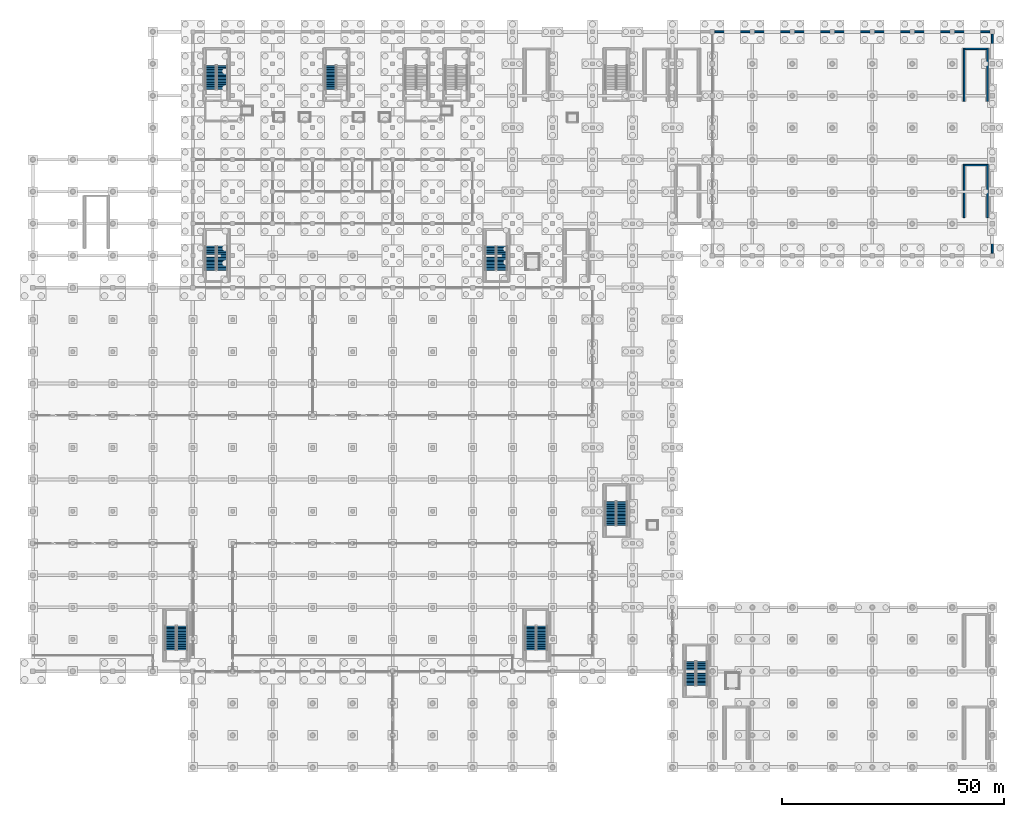
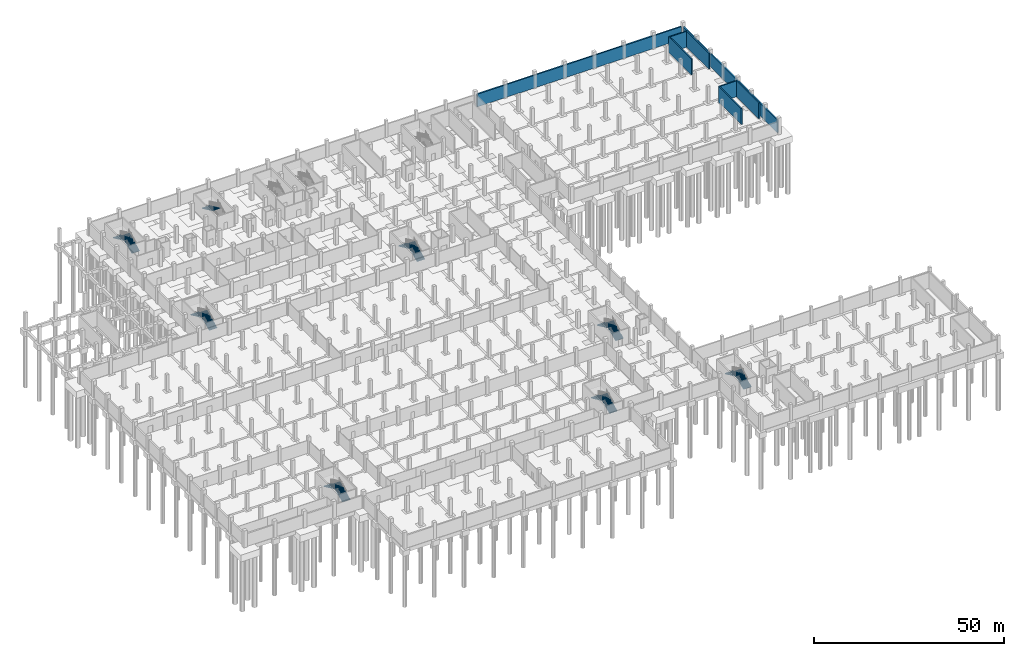
# One storey, part 28 of 39: 15 stair flights, 8 walls, 8 elements without a shape of their own.
"""IFC4 building model written with IfcOpenShell, lengths in metres."""

from ifc_helpers import new_model, si_unit, direction, frame, frame_2d, origin, place, context, subcontext, project, spatial, polyline, rectangle, outline, extrude, material, layer, layer_set, type_object, element, aggregate, save


model = new_model("IFC4")

# Units and contexts
model_context = context("Model", 3, precision=1e-05, world=origin(), true_north=direction((0.0, 1.0)))
body_context = subcontext(model_context, "Body", "Model", "MODEL_VIEW")
ifc_project = project(units=[si_unit("LENGTHUNIT", "METRE"), si_unit("AREAUNIT", "SQUARE_METRE"), si_unit("VOLUMEUNIT", "CUBIC_METRE"), si_unit("PLANEANGLEUNIT", "RADIAN"), si_unit("MASSUNIT", "GRAM", prefix="KILO")], contexts=[model_context])

# Site, building, storey
site_placement = place(None, origin())
site = spatial("IfcSite", under=ifc_project, at=site_placement, CompositionType="ELEMENT")
building_placement = place(site_placement, origin())
building = spatial("IfcBuilding", under=site, at=building_placement, Name="Celestram Park Convention Centre", CompositionType="ELEMENT")
storey_placement = place(building_placement, frame((0.0, 0.0, -5.39990234375)))
storey = spatial("IfcBuildingStorey", under=building, at=storey_placement, Name="B1", CompositionType="ELEMENT", Elevation=-5.39990234375)

# Walls
ifc_material_1 = material(Name="Concrete C40/50", Category="concrete")
ifc_layer_1 = layer(ifc_material_1, 0.419921875)
ifc_layer_set_1 = layer_set([ifc_layer_1], Name="Concrete C40/50")
wall_type_1 = type_object("IfcWallType", Name="STR-WL-RET420", PredefinedType="USERDEFINED", material=ifc_layer_set_1)
wall_1_placement = place(storey_placement, frame((153.550048828125, 165.60009765625, 0.0), z_axis=(0.0, 0.0, 1.0), x_axis=(1.0, 0.0, 0.0)))
element("IfcWall", 1, at=wall_1_placement, inside=storey, type_object=wall_type_1, Name="Basement retaining wall WL-B1-RET07", ObjectType="RETAININGWALL", PredefinedType="USERDEFINED", context=body_context, shape_type="SweptSolid", body=[
    extrude(rectangle(XDim=61.89990234375, YDim=0.419921875, at=frame_2d((30.949951171875, 0.0))), origin(), (0.0, 0.0, 1.0), 4.079833984375),
])
wall_2_placement = place(storey_placement, frame((216.0, 165.050048828125, 0.0), z_axis=(0.0, 0.0, 1.0), x_axis=(0.0, -1.0, 0.0)))
element("IfcWall", 2, at=wall_2_placement, inside=storey, type_object=wall_type_1, Name="Basement retaining wall WL-B1-RET08", ObjectType="RETAININGWALL", PredefinedType="USERDEFINED", context=body_context, shape_type="SweptSolid", body=[
    extrude(rectangle(XDim=49.300048828125, YDim=0.419921875, at=frame_2d((24.64990234375, 0.0))), origin(), (0.0, 0.0, 1.0), 4.079833984375),
])
ifc_layer_2 = layer(ifc_material_1, 0.340087890625)
ifc_layer_set_2 = layer_set([ifc_layer_2], Name="Concrete C40/50")
wall_type_2 = type_object("IfcWallType", Name="STR-WL-SHR340", PredefinedType="SHEAR", material=ifc_layer_set_2)
for number, where, z_axis, x_axis, name in (
    (3, (209.669921875, 149.949951171875, 0.0), (0.0, 0.0, 1.0), (0.0, 1.0, 0.0), "Core S07 shear wall L"),
    (4, (214.969970703125, 161.93994140625, 0.0), (0.0, 0.0, 1.0), (0.0, -1.0, 0.0), "Core S07 shear wall R"),
):
    element("IfcWall", number, at=place(storey_placement, frame(where, z_axis=z_axis, x_axis=x_axis)), inside=storey, type_object=wall_type_2, Name=name, PredefinedType="SHEAR", context=body_context, shape_type="SweptSolid", body=[
        extrude(rectangle(XDim=11.989990234375, YDim=0.340087890625, at=frame_2d((5.9951171875, 0.0))), origin(), (0.0, 0.0, 1.0), 5.079833984375),
    ])
wall_3_placement = place(storey_placement, frame((209.840087890625, 161.77001953125, 0.0), z_axis=(0.0, 0.0, 1.0), x_axis=(1.0, 0.0, 0.0)))
element("IfcWall", 5, at=wall_3_placement, inside=storey, type_object=wall_type_2, Name="Core S07 shear wall F", PredefinedType="SHEAR", context=body_context, shape_type="SweptSolid", body=[
    extrude(rectangle(XDim=4.9599609375, YDim=0.340087890625, at=frame_2d((2.47998046875, 0.0))), origin(), (0.0, 0.0, 1.0), 5.079833984375),
])
for number, where, z_axis, x_axis, name in (
    (6, (209.669921875, 123.75, 0.0), (0.0, 0.0, 1.0), (0.0, 1.0, 0.0), "Core S08 shear wall L"),
    (7, (214.969970703125, 135.739990234375, 0.0), (0.0, 0.0, 1.0), (0.0, -1.0, 0.0), "Core S08 shear wall R"),
):
    element("IfcWall", number, at=place(storey_placement, frame(where, z_axis=z_axis, x_axis=x_axis)), inside=storey, type_object=wall_type_2, Name=name, PredefinedType="SHEAR", context=body_context, shape_type="SweptSolid", body=[
        extrude(rectangle(XDim=11.989990234375, YDim=0.340087890625, at=frame_2d((5.9951171875, 0.0))), origin(), (0.0, 0.0, 1.0), 5.079833984375),
    ])
wall_4_placement = place(storey_placement, frame((209.840087890625, 135.570068359375, 0.0), z_axis=(0.0, 0.0, 1.0), x_axis=(1.0, 0.0, 0.0)))
element("IfcWall", 8, at=wall_4_placement, inside=storey, type_object=wall_type_2, Name="Core S08 shear wall F", PredefinedType="SHEAR", context=body_context, shape_type="SweptSolid", body=[
    extrude(rectangle(XDim=4.9599609375, YDim=0.340087890625, at=frame_2d((2.47998046875, 0.0))), origin(), (0.0, 0.0, 1.0), 5.079833984375),
])

# Stair, stair flights
ifc_material_2 = material(Name="Precast Concrete C40/50", Category="concrete")
stair_type = type_object("IfcStairType", Name="ARC-STR-DOG54", PredefinedType="HALF_TURN_STAIR", material=ifc_material_2)
stair_1_placement = place(storey_placement, origin())
stair_1 = element("IfcStair", 9, at=stair_1_placement, inside=storey, type_object=stair_type, Name="B1 Core C1 stair ST-01", PredefinedType="HALF_TURN_STAIR")
stair_flight_type = type_object("IfcStairFlightType", Name="ARC-FLT-18R", PredefinedType="STRAIGHT", material=ifc_material_2)
stair_flight_1_placement = place(storey_placement, frame((42.60009765625, 152.60009765625, 0.0), z_axis=(0.0, 0.0, 1.0), x_axis=(0.0, 1.0, 0.0)))
stair_flight_1 = element("IfcStairFlight", 10, at=stair_flight_1_placement, type_object=stair_flight_type, Name="ST-01 flight 1", NumberOfRisers=18, NumberOfTreads=17, PredefinedType="STRAIGHT", RiserHeight=0.15, TreadLength=0.32, context=body_context, shape_type="SweptSolid", body=[
    extrude(outline(polyline([(0.0, 0.0), (0.0, 0.14990234375), (0.320068359375, 0.14990234375), (0.320068359375, 0.300048828125), (0.639892578125, 0.300048828125), (0.639892578125, 0.449951171875), (0.9599609375, 0.449951171875), (0.9599609375, 0.60009765625), (1.280029296875, 0.60009765625), (1.280029296875, 0.75), (1.60009765625, 0.75), (1.60009765625, 0.89990234375), (1.919921875, 0.89990234375), (1.919921875, 1.050048828125), (2.239990234375, 1.050048828125), (2.239990234375, 1.199951171875), (2.56005859375, 1.199951171875), (2.56005859375, 1.35009765625), (2.8798828125, 1.35009765625), (2.8798828125, 1.5), (3.199951171875, 1.5), (3.199951171875, 1.64990234375), (3.52001953125, 1.64990234375), (3.52001953125, 1.800048828125), (3.840087890625, 1.800048828125), (3.840087890625, 1.949951171875), (4.159912109375, 1.949951171875), (4.159912109375, 2.10009765625), (4.47998046875, 2.10009765625), (4.47998046875, 2.25), (4.800048828125, 2.25), (4.800048828125, 2.39990234375), (5.1201171875, 2.39990234375), (5.1201171875, 2.550048828125), (5.43994140625, 2.550048828125), (5.43994140625, 2.699951171875), (5.43994140625, 2.384521484375), (0.353271484375, 0.0), (0.0, 0.0)])), frame((0.0, 1.199951171875, 0.0), z_axis=(0.0, -1.0, 0.0), x_axis=(1.0, 0.0, 0.0)), (0.0, 0.0, 1.0), 2.39990234375),
])
stair_flight_2_placement = place(storey_placement, frame((40.0400390625, 158.0400390625, 2.699951171875), z_axis=(0.0, 0.0, 1.0), x_axis=(0.0, -1.0, 0.0)))
stair_flight_2 = element("IfcStairFlight", 11, at=stair_flight_2_placement, type_object=stair_flight_type, Name="ST-01 flight 2", NumberOfRisers=18, NumberOfTreads=17, PredefinedType="STRAIGHT", RiserHeight=0.15, TreadLength=0.32, context=body_context, shape_type="SweptSolid", body=[
    extrude(outline(polyline([(0.0, 0.0), (0.0, 0.14990234375), (0.320068359375, 0.14990234375), (0.320068359375, 0.300048828125), (0.639892578125, 0.300048828125), (0.639892578125, 0.449951171875), (0.9599609375, 0.449951171875), (0.9599609375, 0.60009765625), (1.280029296875, 0.60009765625), (1.280029296875, 0.75), (1.60009765625, 0.75), (1.60009765625, 0.89990234375), (1.919921875, 0.89990234375), (1.919921875, 1.050048828125), (2.239990234375, 1.050048828125), (2.239990234375, 1.199951171875), (2.56005859375, 1.199951171875), (2.56005859375, 1.35009765625), (2.8798828125, 1.35009765625), (2.8798828125, 1.5), (3.199951171875, 1.5), (3.199951171875, 1.64990234375), (3.52001953125, 1.64990234375), (3.52001953125, 1.800048828125), (3.840087890625, 1.800048828125), (3.840087890625, 1.949951171875), (4.159912109375, 1.949951171875), (4.159912109375, 2.10009765625), (4.47998046875, 2.10009765625), (4.47998046875, 2.25), (4.800048828125, 2.25), (4.800048828125, 2.39990234375), (5.1201171875, 2.39990234375), (5.1201171875, 2.550048828125), (5.43994140625, 2.550048828125), (5.43994140625, 2.699951171875), (5.43994140625, 2.384521484375), (0.353271484375, 0.0), (0.0, 0.0)])), frame((0.0, 1.199951171875, 0.0), z_axis=(0.0, -1.0, 0.0), x_axis=(1.0, 0.0, 0.0)), (0.0, 0.0, 1.0), 2.39990234375),
])
aggregate(stair_1, [stair_flight_1, stair_flight_2])

stair_2_placement = place(storey_placement, origin())
stair_2 = element("IfcStair", 12, at=stair_2_placement, inside=storey, type_object=stair_type, Name="B1 Core C3 stair ST-03", PredefinedType="HALF_TURN_STAIR")
stair_flight_3_placement = place(storey_placement, frame((105.60009765625, 111.89990234375, 0.0), z_axis=(0.0, 0.0, 1.0), x_axis=(0.0, 1.0, 0.0)))
stair_flight_3 = element("IfcStairFlight", 13, at=stair_flight_3_placement, type_object=stair_flight_type, Name="ST-03 flight 1", NumberOfRisers=18, NumberOfTreads=17, PredefinedType="STRAIGHT", RiserHeight=0.15, TreadLength=0.32, context=body_context, shape_type="SweptSolid", body=[
    extrude(outline(polyline([(0.0, 0.0), (0.0, 0.14990234375), (0.320068359375, 0.14990234375), (0.320068359375, 0.300048828125), (0.639892578125, 0.300048828125), (0.639892578125, 0.449951171875), (0.9599609375, 0.449951171875), (0.9599609375, 0.60009765625), (1.280029296875, 0.60009765625), (1.280029296875, 0.75), (1.60009765625, 0.75), (1.60009765625, 0.89990234375), (1.919921875, 0.89990234375), (1.919921875, 1.050048828125), (2.239990234375, 1.050048828125), (2.239990234375, 1.199951171875), (2.56005859375, 1.199951171875), (2.56005859375, 1.35009765625), (2.8798828125, 1.35009765625), (2.8798828125, 1.5), (3.199951171875, 1.5), (3.199951171875, 1.64990234375), (3.52001953125, 1.64990234375), (3.52001953125, 1.800048828125), (3.840087890625, 1.800048828125), (3.840087890625, 1.949951171875), (4.159912109375, 1.949951171875), (4.159912109375, 2.10009765625), (4.47998046875, 2.10009765625), (4.47998046875, 2.25), (4.800048828125, 2.25), (4.800048828125, 2.39990234375), (5.1201171875, 2.39990234375), (5.1201171875, 2.550048828125), (5.43994140625, 2.550048828125), (5.43994140625, 2.699951171875), (5.43994140625, 2.384521484375), (0.353271484375, 0.0), (0.0, 0.0)])), frame((0.0, 1.199951171875, 0.0), z_axis=(0.0, -1.0, 0.0), x_axis=(1.0, 0.0, 0.0)), (0.0, 0.0, 1.0), 2.39990234375),
])
stair_flight_4_placement = place(storey_placement, frame((103.0400390625, 117.340087890625, 2.699951171875), z_axis=(0.0, 0.0, 1.0), x_axis=(0.0, -1.0, 0.0)))
stair_flight_4 = element("IfcStairFlight", 14, at=stair_flight_4_placement, type_object=stair_flight_type, Name="ST-03 flight 2", NumberOfRisers=18, NumberOfTreads=17, PredefinedType="STRAIGHT", RiserHeight=0.15, TreadLength=0.32, context=body_context, shape_type="SweptSolid", body=[
    extrude(outline(polyline([(0.0, 0.0), (0.0, 0.14990234375), (0.320068359375, 0.14990234375), (0.320068359375, 0.300048828125), (0.639892578125, 0.300048828125), (0.639892578125, 0.449951171875), (0.9599609375, 0.449951171875), (0.9599609375, 0.60009765625), (1.280029296875, 0.60009765625), (1.280029296875, 0.75), (1.60009765625, 0.75), (1.60009765625, 0.89990234375), (1.919921875, 0.89990234375), (1.919921875, 1.050048828125), (2.239990234375, 1.050048828125), (2.239990234375, 1.199951171875), (2.56005859375, 1.199951171875), (2.56005859375, 1.35009765625), (2.8798828125, 1.35009765625), (2.8798828125, 1.5), (3.199951171875, 1.5), (3.199951171875, 1.64990234375), (3.52001953125, 1.64990234375), (3.52001953125, 1.800048828125), (3.840087890625, 1.800048828125), (3.840087890625, 1.949951171875), (4.159912109375, 1.949951171875), (4.159912109375, 2.10009765625), (4.47998046875, 2.10009765625), (4.47998046875, 2.25), (4.800048828125, 2.25), (4.800048828125, 2.39990234375), (5.1201171875, 2.39990234375), (5.1201171875, 2.550048828125), (5.43994140625, 2.550048828125), (5.43994140625, 2.699951171875), (5.43994140625, 2.384521484375), (0.353271484375, 0.0), (0.0, 0.0)])), frame((0.0, 1.199951171875, 0.0), z_axis=(0.0, -1.0, 0.0), x_axis=(1.0, 0.0, 0.0)), (0.0, 0.0, 1.0), 2.39990234375),
])
aggregate(stair_2, [stair_flight_3, stair_flight_4])

stair_3_placement = place(storey_placement, origin())
stair_3 = element("IfcStair", 15, at=stair_3_placement, inside=storey, type_object=stair_type, Name="B1 Core C4 stair ST-04", PredefinedType="HALF_TURN_STAIR")
stair_flight_5_placement = place(storey_placement, frame((132.60009765625, 54.39990234375, 0.0), z_axis=(0.0, 0.0, 1.0), x_axis=(0.0, 1.0, 0.0)))
stair_flight_5 = element("IfcStairFlight", 16, at=stair_flight_5_placement, type_object=stair_flight_type, Name="ST-04 flight 1", NumberOfRisers=18, NumberOfTreads=17, PredefinedType="STRAIGHT", RiserHeight=0.15, TreadLength=0.32, context=body_context, shape_type="SweptSolid", body=[
    extrude(outline(polyline([(0.0, 0.0), (0.0, 0.14990234375), (0.320068359375, 0.14990234375), (0.320068359375, 0.300048828125), (0.639892578125, 0.300048828125), (0.639892578125, 0.449951171875), (0.9599609375, 0.449951171875), (0.9599609375, 0.60009765625), (1.280029296875, 0.60009765625), (1.280029296875, 0.75), (1.60009765625, 0.75), (1.60009765625, 0.89990234375), (1.919921875, 0.89990234375), (1.919921875, 1.050048828125), (2.239990234375, 1.050048828125), (2.239990234375, 1.199951171875), (2.56005859375, 1.199951171875), (2.56005859375, 1.35009765625), (2.8798828125, 1.35009765625), (2.8798828125, 1.5), (3.199951171875, 1.5), (3.199951171875, 1.64990234375), (3.52001953125, 1.64990234375), (3.52001953125, 1.800048828125), (3.840087890625, 1.800048828125), (3.840087890625, 1.949951171875), (4.159912109375, 1.949951171875), (4.159912109375, 2.10009765625), (4.47998046875, 2.10009765625), (4.47998046875, 2.25), (4.800048828125, 2.25), (4.800048828125, 2.39990234375), (5.1201171875, 2.39990234375), (5.1201171875, 2.550048828125), (5.43994140625, 2.550048828125), (5.43994140625, 2.699951171875), (5.43994140625, 2.384521484375), (0.353271484375, 0.0), (0.0, 0.0)])), frame((0.0, 1.199951171875, 0.0), z_axis=(0.0, -1.0, 0.0), x_axis=(1.0, 0.0, 0.0)), (0.0, 0.0, 1.0), 2.39990234375),
])
stair_flight_6_placement = place(storey_placement, frame((130.0400390625, 59.840087890625, 2.699951171875), z_axis=(0.0, 0.0, 1.0), x_axis=(0.0, -1.0, 0.0)))
stair_flight_6 = element("IfcStairFlight", 17, at=stair_flight_6_placement, type_object=stair_flight_type, Name="ST-04 flight 2", NumberOfRisers=18, NumberOfTreads=17, PredefinedType="STRAIGHT", RiserHeight=0.15, TreadLength=0.32, context=body_context, shape_type="SweptSolid", body=[
    extrude(outline(polyline([(0.0, 0.0), (0.0, 0.14990234375), (0.320068359375, 0.14990234375), (0.320068359375, 0.300048828125), (0.639892578125, 0.300048828125), (0.639892578125, 0.449951171875), (0.9599609375, 0.449951171875), (0.9599609375, 0.60009765625), (1.280029296875, 0.60009765625), (1.280029296875, 0.75), (1.60009765625, 0.75), (1.60009765625, 0.89990234375), (1.919921875, 0.89990234375), (1.919921875, 1.050048828125), (2.239990234375, 1.050048828125), (2.239990234375, 1.199951171875), (2.56005859375, 1.199951171875), (2.56005859375, 1.35009765625), (2.8798828125, 1.35009765625), (2.8798828125, 1.5), (3.199951171875, 1.5), (3.199951171875, 1.64990234375), (3.52001953125, 1.64990234375), (3.52001953125, 1.800048828125), (3.840087890625, 1.800048828125), (3.840087890625, 1.949951171875), (4.159912109375, 1.949951171875), (4.159912109375, 2.10009765625), (4.47998046875, 2.10009765625), (4.47998046875, 2.25), (4.800048828125, 2.25), (4.800048828125, 2.39990234375), (5.1201171875, 2.39990234375), (5.1201171875, 2.550048828125), (5.43994140625, 2.550048828125), (5.43994140625, 2.699951171875), (5.43994140625, 2.384521484375), (0.353271484375, 0.0), (0.0, 0.0)])), frame((0.0, 1.199951171875, 0.0), z_axis=(0.0, -1.0, 0.0), x_axis=(1.0, 0.0, 0.0)), (0.0, 0.0, 1.0), 2.39990234375),
])
aggregate(stair_3, [stair_flight_5, stair_flight_6])

stair_4_placement = place(storey_placement, origin())
stair_4 = element("IfcStair", 18, at=stair_4_placement, inside=storey, type_object=stair_type, Name="B1 Core C6 stair ST-06", PredefinedType="HALF_TURN_STAIR")
stair_flight_7_placement = place(storey_placement, frame((150.60009765625, 18.39990234375, 0.0), z_axis=(0.0, 0.0, 1.0), x_axis=(0.0, 1.0, 0.0)))
stair_flight_7 = element("IfcStairFlight", 19, at=stair_flight_7_placement, type_object=stair_flight_type, Name="ST-06 flight 1", NumberOfRisers=18, NumberOfTreads=17, PredefinedType="STRAIGHT", RiserHeight=0.15, TreadLength=0.32, context=body_context, shape_type="SweptSolid", body=[
    extrude(outline(polyline([(0.0, 0.0), (0.0, 0.14990234375), (0.320068359375, 0.14990234375), (0.320068359375, 0.300048828125), (0.639892578125, 0.300048828125), (0.639892578125, 0.449951171875), (0.9599609375, 0.449951171875), (0.9599609375, 0.60009765625), (1.280029296875, 0.60009765625), (1.280029296875, 0.75), (1.60009765625, 0.75), (1.60009765625, 0.89990234375), (1.919921875, 0.89990234375), (1.919921875, 1.050048828125), (2.239990234375, 1.050048828125), (2.239990234375, 1.199951171875), (2.56005859375, 1.199951171875), (2.56005859375, 1.35009765625), (2.8798828125, 1.35009765625), (2.8798828125, 1.5), (3.199951171875, 1.5), (3.199951171875, 1.64990234375), (3.52001953125, 1.64990234375), (3.52001953125, 1.800048828125), (3.840087890625, 1.800048828125), (3.840087890625, 1.949951171875), (4.159912109375, 1.949951171875), (4.159912109375, 2.10009765625), (4.47998046875, 2.10009765625), (4.47998046875, 2.25), (4.800048828125, 2.25), (4.800048828125, 2.39990234375), (5.1201171875, 2.39990234375), (5.1201171875, 2.550048828125), (5.43994140625, 2.550048828125), (5.43994140625, 2.699951171875), (5.43994140625, 2.384521484375), (0.353271484375, 0.0), (0.0, 0.0)])), frame((0.0, 1.199951171875, 0.0), z_axis=(0.0, -1.0, 0.0), x_axis=(1.0, 0.0, 0.0)), (0.0, 0.0, 1.0), 2.39990234375),
])
stair_flight_8_placement = place(storey_placement, frame((148.0400390625, 23.840087890625, 2.699951171875), z_axis=(0.0, 0.0, 1.0), x_axis=(0.0, -1.0, 0.0)))
stair_flight_8 = element("IfcStairFlight", 20, at=stair_flight_8_placement, type_object=stair_flight_type, Name="ST-06 flight 2", NumberOfRisers=18, NumberOfTreads=17, PredefinedType="STRAIGHT", RiserHeight=0.15, TreadLength=0.32, context=body_context, shape_type="SweptSolid", body=[
    extrude(outline(polyline([(0.0, 0.0), (0.0, 0.14990234375), (0.320068359375, 0.14990234375), (0.320068359375, 0.300048828125), (0.639892578125, 0.300048828125), (0.639892578125, 0.449951171875), (0.9599609375, 0.449951171875), (0.9599609375, 0.60009765625), (1.280029296875, 0.60009765625), (1.280029296875, 0.75), (1.60009765625, 0.75), (1.60009765625, 0.89990234375), (1.919921875, 0.89990234375), (1.919921875, 1.050048828125), (2.239990234375, 1.050048828125), (2.239990234375, 1.199951171875), (2.56005859375, 1.199951171875), (2.56005859375, 1.35009765625), (2.8798828125, 1.35009765625), (2.8798828125, 1.5), (3.199951171875, 1.5), (3.199951171875, 1.64990234375), (3.52001953125, 1.64990234375), (3.52001953125, 1.800048828125), (3.840087890625, 1.800048828125), (3.840087890625, 1.949951171875), (4.159912109375, 1.949951171875), (4.159912109375, 2.10009765625), (4.47998046875, 2.10009765625), (4.47998046875, 2.25), (4.800048828125, 2.25), (4.800048828125, 2.39990234375), (5.1201171875, 2.39990234375), (5.1201171875, 2.550048828125), (5.43994140625, 2.550048828125), (5.43994140625, 2.699951171875), (5.43994140625, 2.384521484375), (0.353271484375, 0.0), (0.0, 0.0)])), frame((0.0, 1.199951171875, 0.0), z_axis=(0.0, -1.0, 0.0), x_axis=(1.0, 0.0, 0.0)), (0.0, 0.0, 1.0), 2.39990234375),
])
aggregate(stair_4, [stair_flight_7, stair_flight_8])

stair_5_placement = place(storey_placement, origin())
stair_5 = element("IfcStair", 21, at=stair_5_placement, inside=storey, type_object=stair_type, Name="B1 Core S13 stair ST-13", PredefinedType="HALF_TURN_STAIR")
stair_flight_9_placement = place(storey_placement, frame((42.60009765625, 111.89990234375, 0.0), z_axis=(0.0, 0.0, 1.0), x_axis=(0.0, 1.0, 0.0)))
stair_flight_9 = element("IfcStairFlight", 22, at=stair_flight_9_placement, type_object=stair_flight_type, Name="ST-13 flight 1", NumberOfRisers=18, NumberOfTreads=17, PredefinedType="STRAIGHT", RiserHeight=0.15, TreadLength=0.32, context=body_context, shape_type="SweptSolid", body=[
    extrude(outline(polyline([(0.0, 0.0), (0.0, 0.14990234375), (0.320068359375, 0.14990234375), (0.320068359375, 0.300048828125), (0.639892578125, 0.300048828125), (0.639892578125, 0.449951171875), (0.9599609375, 0.449951171875), (0.9599609375, 0.60009765625), (1.280029296875, 0.60009765625), (1.280029296875, 0.75), (1.60009765625, 0.75), (1.60009765625, 0.89990234375), (1.919921875, 0.89990234375), (1.919921875, 1.050048828125), (2.239990234375, 1.050048828125), (2.239990234375, 1.199951171875), (2.56005859375, 1.199951171875), (2.56005859375, 1.35009765625), (2.8798828125, 1.35009765625), (2.8798828125, 1.5), (3.199951171875, 1.5), (3.199951171875, 1.64990234375), (3.52001953125, 1.64990234375), (3.52001953125, 1.800048828125), (3.840087890625, 1.800048828125), (3.840087890625, 1.949951171875), (4.159912109375, 1.949951171875), (4.159912109375, 2.10009765625), (4.47998046875, 2.10009765625), (4.47998046875, 2.25), (4.800048828125, 2.25), (4.800048828125, 2.39990234375), (5.1201171875, 2.39990234375), (5.1201171875, 2.550048828125), (5.43994140625, 2.550048828125), (5.43994140625, 2.699951171875), (5.43994140625, 2.384521484375), (0.353271484375, 0.0), (0.0, 0.0)])), frame((0.0, 1.199951171875, 0.0), z_axis=(0.0, -1.0, 0.0), x_axis=(1.0, 0.0, 0.0)), (0.0, 0.0, 1.0), 2.39990234375),
])
stair_flight_10_placement = place(storey_placement, frame((40.0400390625, 117.340087890625, 2.699951171875), z_axis=(0.0, 0.0, 1.0), x_axis=(0.0, -1.0, 0.0)))
stair_flight_10 = element("IfcStairFlight", 23, at=stair_flight_10_placement, type_object=stair_flight_type, Name="ST-13 flight 2", NumberOfRisers=18, NumberOfTreads=17, PredefinedType="STRAIGHT", RiserHeight=0.15, TreadLength=0.32, context=body_context, shape_type="SweptSolid", body=[
    extrude(outline(polyline([(0.0, 0.0), (0.0, 0.14990234375), (0.320068359375, 0.14990234375), (0.320068359375, 0.300048828125), (0.639892578125, 0.300048828125), (0.639892578125, 0.449951171875), (0.9599609375, 0.449951171875), (0.9599609375, 0.60009765625), (1.280029296875, 0.60009765625), (1.280029296875, 0.75), (1.60009765625, 0.75), (1.60009765625, 0.89990234375), (1.919921875, 0.89990234375), (1.919921875, 1.050048828125), (2.239990234375, 1.050048828125), (2.239990234375, 1.199951171875), (2.56005859375, 1.199951171875), (2.56005859375, 1.35009765625), (2.8798828125, 1.35009765625), (2.8798828125, 1.5), (3.199951171875, 1.5), (3.199951171875, 1.64990234375), (3.52001953125, 1.64990234375), (3.52001953125, 1.800048828125), (3.840087890625, 1.800048828125), (3.840087890625, 1.949951171875), (4.159912109375, 1.949951171875), (4.159912109375, 2.10009765625), (4.47998046875, 2.10009765625), (4.47998046875, 2.25), (4.800048828125, 2.25), (4.800048828125, 2.39990234375), (5.1201171875, 2.39990234375), (5.1201171875, 2.550048828125), (5.43994140625, 2.550048828125), (5.43994140625, 2.699951171875), (5.43994140625, 2.384521484375), (0.353271484375, 0.0), (0.0, 0.0)])), frame((0.0, 1.199951171875, 0.0), z_axis=(0.0, -1.0, 0.0), x_axis=(1.0, 0.0, 0.0)), (0.0, 0.0, 1.0), 2.39990234375),
])
aggregate(stair_5, [stair_flight_9, stair_flight_10])

# Stair, stair flight
stair_6_placement = place(storey_placement, origin())
stair_6 = element("IfcStair", 24, at=stair_6_placement, inside=storey, type_object=stair_type, Name="B1 Core S14 stair ST-14", PredefinedType="HALF_TURN_STAIR")
stair_flight_11_placement = place(storey_placement, frame((67.0400390625, 158.0400390625, 2.699951171875), z_axis=(0.0, 0.0, 1.0), x_axis=(0.0, -1.0, 0.0)))
stair_flight_11 = element("IfcStairFlight", 25, at=stair_flight_11_placement, type_object=stair_flight_type, Name="ST-14 flight 2", NumberOfRisers=18, NumberOfTreads=17, PredefinedType="STRAIGHT", RiserHeight=0.15, TreadLength=0.32, context=body_context, shape_type="SweptSolid", body=[
    extrude(outline(polyline([(0.0, 0.0), (0.0, 0.14990234375), (0.320068359375, 0.14990234375), (0.320068359375, 0.300048828125), (0.639892578125, 0.300048828125), (0.639892578125, 0.449951171875), (0.9599609375, 0.449951171875), (0.9599609375, 0.60009765625), (1.280029296875, 0.60009765625), (1.280029296875, 0.75), (1.60009765625, 0.75), (1.60009765625, 0.89990234375), (1.919921875, 0.89990234375), (1.919921875, 1.050048828125), (2.239990234375, 1.050048828125), (2.239990234375, 1.199951171875), (2.56005859375, 1.199951171875), (2.56005859375, 1.35009765625), (2.8798828125, 1.35009765625), (2.8798828125, 1.5), (3.199951171875, 1.5), (3.199951171875, 1.64990234375), (3.52001953125, 1.64990234375), (3.52001953125, 1.800048828125), (3.840087890625, 1.800048828125), (3.840087890625, 1.949951171875), (4.159912109375, 1.949951171875), (4.159912109375, 2.10009765625), (4.47998046875, 2.10009765625), (4.47998046875, 2.25), (4.800048828125, 2.25), (4.800048828125, 2.39990234375), (5.1201171875, 2.39990234375), (5.1201171875, 2.550048828125), (5.43994140625, 2.550048828125), (5.43994140625, 2.699951171875), (5.43994140625, 2.384521484375), (0.353271484375, 0.0), (0.0, 0.0)])), frame((0.0, 1.199951171875, 0.0), z_axis=(0.0, -1.0, 0.0), x_axis=(1.0, 0.0, 0.0)), (0.0, 0.0, 1.0), 2.39990234375),
])
aggregate(stair_6, [stair_flight_11])

# Stair, stair flights
stair_7_placement = place(storey_placement, origin())
stair_7 = element("IfcStair", 26, at=stair_7_placement, inside=storey, type_object=stair_type, Name="B1 Core S17 stair ST-17", PredefinedType="HALF_TURN_STAIR")
stair_flight_12_placement = place(storey_placement, frame((33.60009765625, 26.39990234375, 0.0), z_axis=(0.0, 0.0, 1.0), x_axis=(0.0, 1.0, 0.0)))
stair_flight_12 = element("IfcStairFlight", 27, at=stair_flight_12_placement, type_object=stair_flight_type, Name="ST-17 flight 1", NumberOfRisers=18, NumberOfTreads=17, PredefinedType="STRAIGHT", RiserHeight=0.15, TreadLength=0.32, context=body_context, shape_type="SweptSolid", body=[
    extrude(outline(polyline([(0.0, 0.0), (0.0, 0.14990234375), (0.320068359375, 0.14990234375), (0.320068359375, 0.300048828125), (0.639892578125, 0.300048828125), (0.639892578125, 0.449951171875), (0.9599609375, 0.449951171875), (0.9599609375, 0.60009765625), (1.280029296875, 0.60009765625), (1.280029296875, 0.75), (1.60009765625, 0.75), (1.60009765625, 0.89990234375), (1.919921875, 0.89990234375), (1.919921875, 1.050048828125), (2.239990234375, 1.050048828125), (2.239990234375, 1.199951171875), (2.56005859375, 1.199951171875), (2.56005859375, 1.35009765625), (2.8798828125, 1.35009765625), (2.8798828125, 1.5), (3.199951171875, 1.5), (3.199951171875, 1.64990234375), (3.52001953125, 1.64990234375), (3.52001953125, 1.800048828125), (3.840087890625, 1.800048828125), (3.840087890625, 1.949951171875), (4.159912109375, 1.949951171875), (4.159912109375, 2.10009765625), (4.47998046875, 2.10009765625), (4.47998046875, 2.25), (4.800048828125, 2.25), (4.800048828125, 2.39990234375), (5.1201171875, 2.39990234375), (5.1201171875, 2.550048828125), (5.43994140625, 2.550048828125), (5.43994140625, 2.699951171875), (5.43994140625, 2.384521484375), (0.353271484375, 0.0), (0.0, 0.0)])), frame((0.0, 1.199951171875, 0.0), z_axis=(0.0, -1.0, 0.0), x_axis=(1.0, 0.0, 0.0)), (0.0, 0.0, 1.0), 2.39990234375),
])
stair_flight_13_placement = place(storey_placement, frame((31.0400390625, 31.840087890625, 2.699951171875), z_axis=(0.0, 0.0, 1.0), x_axis=(0.0, -1.0, 0.0)))
stair_flight_13 = element("IfcStairFlight", 28, at=stair_flight_13_placement, type_object=stair_flight_type, Name="ST-17 flight 2", NumberOfRisers=18, NumberOfTreads=17, PredefinedType="STRAIGHT", RiserHeight=0.15, TreadLength=0.32, context=body_context, shape_type="SweptSolid", body=[
    extrude(outline(polyline([(0.0, 0.0), (0.0, 0.14990234375), (0.320068359375, 0.14990234375), (0.320068359375, 0.300048828125), (0.639892578125, 0.300048828125), (0.639892578125, 0.449951171875), (0.9599609375, 0.449951171875), (0.9599609375, 0.60009765625), (1.280029296875, 0.60009765625), (1.280029296875, 0.75), (1.60009765625, 0.75), (1.60009765625, 0.89990234375), (1.919921875, 0.89990234375), (1.919921875, 1.050048828125), (2.239990234375, 1.050048828125), (2.239990234375, 1.199951171875), (2.56005859375, 1.199951171875), (2.56005859375, 1.35009765625), (2.8798828125, 1.35009765625), (2.8798828125, 1.5), (3.199951171875, 1.5), (3.199951171875, 1.64990234375), (3.52001953125, 1.64990234375), (3.52001953125, 1.800048828125), (3.840087890625, 1.800048828125), (3.840087890625, 1.949951171875), (4.159912109375, 1.949951171875), (4.159912109375, 2.10009765625), (4.47998046875, 2.10009765625), (4.47998046875, 2.25), (4.800048828125, 2.25), (4.800048828125, 2.39990234375), (5.1201171875, 2.39990234375), (5.1201171875, 2.550048828125), (5.43994140625, 2.550048828125), (5.43994140625, 2.699951171875), (5.43994140625, 2.384521484375), (0.353271484375, 0.0), (0.0, 0.0)])), frame((0.0, 1.199951171875, 0.0), z_axis=(0.0, -1.0, 0.0), x_axis=(1.0, 0.0, 0.0)), (0.0, 0.0, 1.0), 2.39990234375),
])
aggregate(stair_7, [stair_flight_12, stair_flight_13])

stair_8_placement = place(storey_placement, origin())
stair_8 = element("IfcStair", 29, at=stair_8_placement, inside=storey, type_object=stair_type, Name="B1 Core S18 stair ST-18", PredefinedType="HALF_TURN_STAIR")
stair_flight_14_placement = place(storey_placement, frame((114.60009765625, 26.39990234375, 0.0), z_axis=(0.0, 0.0, 1.0), x_axis=(0.0, 1.0, 0.0)))
stair_flight_14 = element("IfcStairFlight", 30, at=stair_flight_14_placement, type_object=stair_flight_type, Name="ST-18 flight 1", NumberOfRisers=18, NumberOfTreads=17, PredefinedType="STRAIGHT", RiserHeight=0.15, TreadLength=0.32, context=body_context, shape_type="SweptSolid", body=[
    extrude(outline(polyline([(0.0, 0.0), (0.0, 0.14990234375), (0.320068359375, 0.14990234375), (0.320068359375, 0.300048828125), (0.639892578125, 0.300048828125), (0.639892578125, 0.449951171875), (0.9599609375, 0.449951171875), (0.9599609375, 0.60009765625), (1.280029296875, 0.60009765625), (1.280029296875, 0.75), (1.60009765625, 0.75), (1.60009765625, 0.89990234375), (1.919921875, 0.89990234375), (1.919921875, 1.050048828125), (2.239990234375, 1.050048828125), (2.239990234375, 1.199951171875), (2.56005859375, 1.199951171875), (2.56005859375, 1.35009765625), (2.8798828125, 1.35009765625), (2.8798828125, 1.5), (3.199951171875, 1.5), (3.199951171875, 1.64990234375), (3.52001953125, 1.64990234375), (3.52001953125, 1.800048828125), (3.840087890625, 1.800048828125), (3.840087890625, 1.949951171875), (4.159912109375, 1.949951171875), (4.159912109375, 2.10009765625), (4.47998046875, 2.10009765625), (4.47998046875, 2.25), (4.800048828125, 2.25), (4.800048828125, 2.39990234375), (5.1201171875, 2.39990234375), (5.1201171875, 2.550048828125), (5.43994140625, 2.550048828125), (5.43994140625, 2.699951171875), (5.43994140625, 2.384521484375), (0.353271484375, 0.0), (0.0, 0.0)])), frame((0.0, 1.199951171875, 0.0), z_axis=(0.0, -1.0, 0.0), x_axis=(1.0, 0.0, 0.0)), (0.0, 0.0, 1.0), 2.39990234375),
])
stair_flight_15_placement = place(storey_placement, frame((112.0400390625, 31.840087890625, 2.699951171875), z_axis=(0.0, 0.0, 1.0), x_axis=(0.0, -1.0, 0.0)))
stair_flight_15 = element("IfcStairFlight", 31, at=stair_flight_15_placement, type_object=stair_flight_type, Name="ST-18 flight 2", NumberOfRisers=18, NumberOfTreads=17, PredefinedType="STRAIGHT", RiserHeight=0.15, TreadLength=0.32, context=body_context, shape_type="SweptSolid", body=[
    extrude(outline(polyline([(0.0, 0.0), (0.0, 0.14990234375), (0.320068359375, 0.14990234375), (0.320068359375, 0.300048828125), (0.639892578125, 0.300048828125), (0.639892578125, 0.449951171875), (0.9599609375, 0.449951171875), (0.9599609375, 0.60009765625), (1.280029296875, 0.60009765625), (1.280029296875, 0.75), (1.60009765625, 0.75), (1.60009765625, 0.89990234375), (1.919921875, 0.89990234375), (1.919921875, 1.050048828125), (2.239990234375, 1.050048828125), (2.239990234375, 1.199951171875), (2.56005859375, 1.199951171875), (2.56005859375, 1.35009765625), (2.8798828125, 1.35009765625), (2.8798828125, 1.5), (3.199951171875, 1.5), (3.199951171875, 1.64990234375), (3.52001953125, 1.64990234375), (3.52001953125, 1.800048828125), (3.840087890625, 1.800048828125), (3.840087890625, 1.949951171875), (4.159912109375, 1.949951171875), (4.159912109375, 2.10009765625), (4.47998046875, 2.10009765625), (4.47998046875, 2.25), (4.800048828125, 2.25), (4.800048828125, 2.39990234375), (5.1201171875, 2.39990234375), (5.1201171875, 2.550048828125), (5.43994140625, 2.550048828125), (5.43994140625, 2.699951171875), (5.43994140625, 2.384521484375), (0.353271484375, 0.0), (0.0, 0.0)])), frame((0.0, 1.199951171875, 0.0), z_axis=(0.0, -1.0, 0.0), x_axis=(1.0, 0.0, 0.0)), (0.0, 0.0, 1.0), 2.39990234375),
])
aggregate(stair_8, [stair_flight_14, stair_flight_15])

save(model, "model.ifc")
